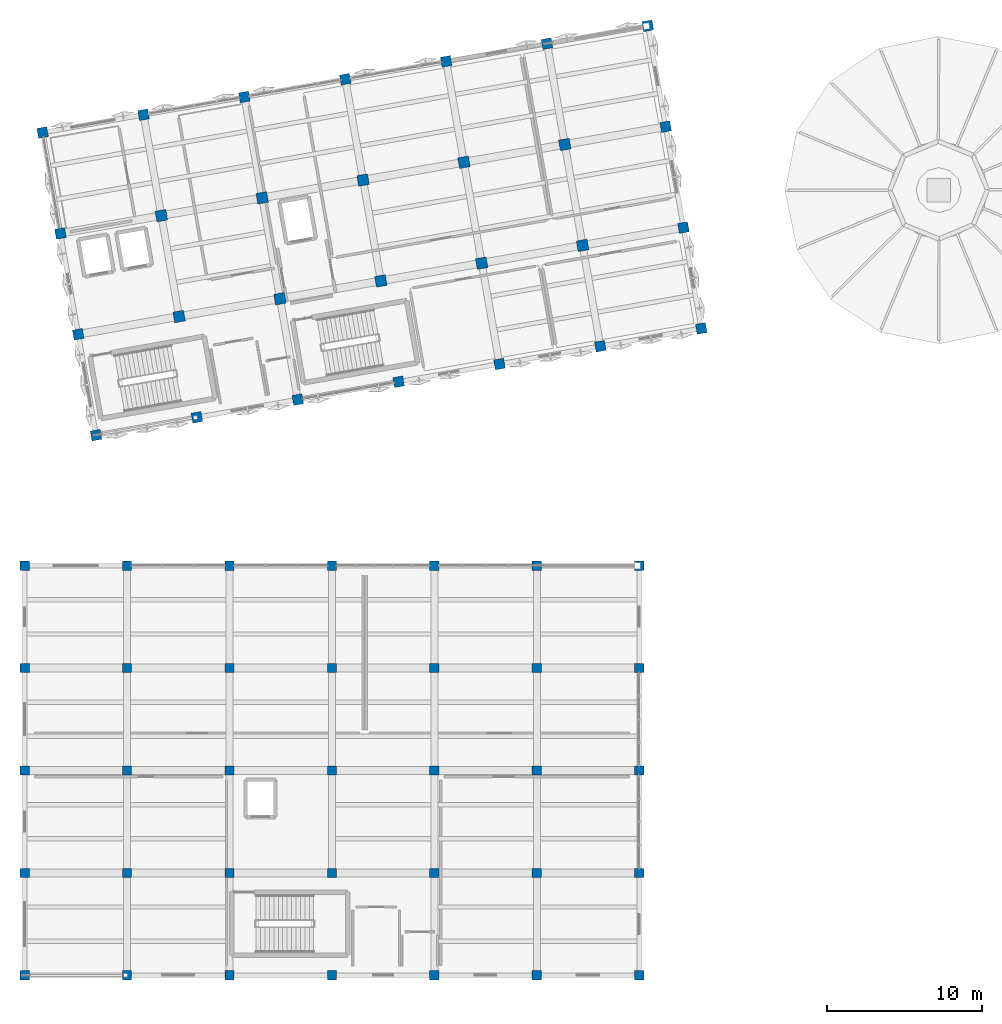
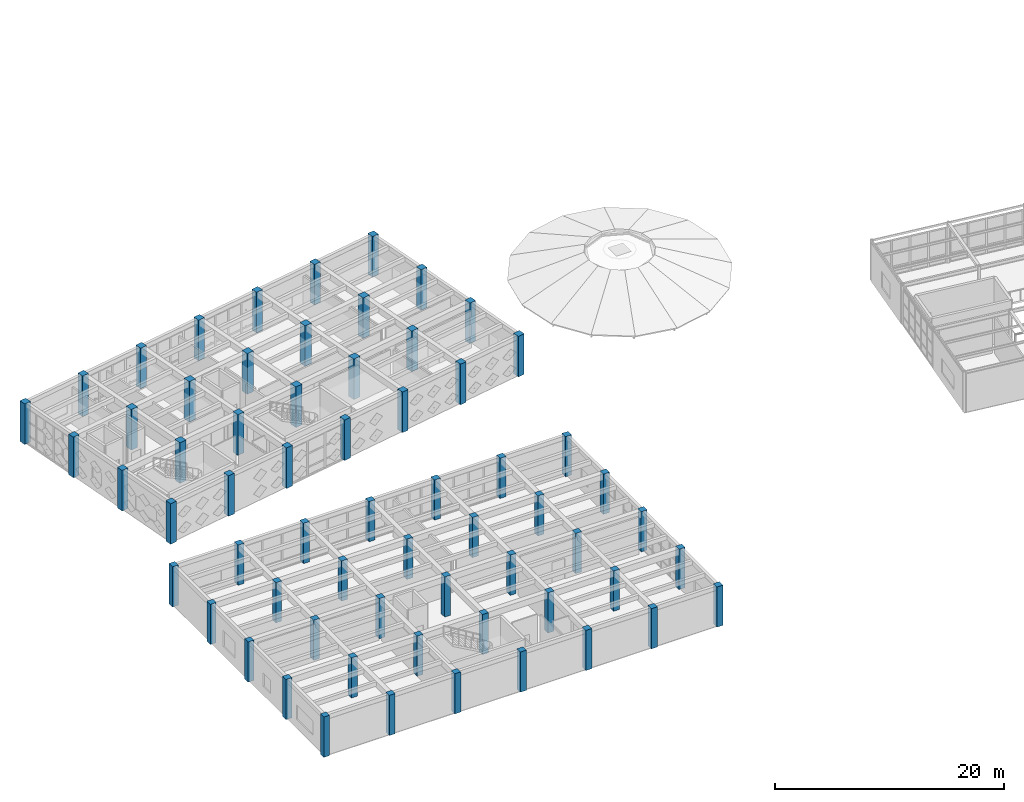
# One storey, part 1 of 67: 63 columns.
"""IFC4 building model written with IfcOpenShell, lengths in metres."""

from ifc_helpers import new_model, si_unit, direction, frame, origin, origin_2d, place, context, subcontext, project, spatial, rectangle, extrude, material, material_profile, profile_set, type_object, element, save


model = new_model("IFC4")

# Units and contexts
model_context = context("Model", 3, precision=1e-05, world=origin(), true_north=direction((0.0, 1.0)))
body_context = subcontext(model_context, "Body", "Model", "MODEL_VIEW")
ifc_project = project(units=[si_unit("LENGTHUNIT", "METRE"), si_unit("AREAUNIT", "SQUARE_METRE"), si_unit("VOLUMEUNIT", "CUBIC_METRE"), si_unit("PLANEANGLEUNIT", "RADIAN"), si_unit("MASSUNIT", "GRAM", prefix="KILO")], contexts=[model_context])

# Site, building, storey
site_placement = place(None, origin())
site = spatial("IfcSite", under=ifc_project, at=site_placement, CompositionType="ELEMENT")
building_placement = place(site_placement, origin())
building = spatial("IfcBuilding", under=site, at=building_placement, Name="Kharisveld Research Institute", CompositionType="ELEMENT")
storey_placement = place(building_placement, frame((0.0, 0.0, 9.60009765625)))
storey = spatial("IfcBuildingStorey", under=building, at=storey_placement, Name="L02", CompositionType="ELEMENT", Elevation=9.60009765625)

# Columns
ifc_material_1 = material(Name="Concrete C40/50", Category="concrete")
ifc_material_profile_1 = material_profile(ifc_material_1, rectangle(XDim=0.60009765625, YDim=0.60009765625, at=origin_2d()))
ifc_profile_set_1 = profile_set([ifc_material_profile_1], Name="Concrete C40/50")
column_type_1 = type_object("IfcColumnType", Name="COL_RC_600", PredefinedType="COLUMN", material=ifc_profile_set_1)
for number, where, z_axis, x_axis, name in (
    (1, (0.60009765625, 0.199951171875, 0.0), (0.0, 0.0, 1.0), (1.0, 0.0, 0.0), "COL:V3:L02:U0V0"),
    (2, (0.60009765625, 6.800048828125, 0.0), (0.0, 0.0, 1.0), (1.0, 0.0, 0.0), "COL:V3:L02:U0V1"),
    (3, (0.60009765625, 13.39990234375, 0.0), (0.0, 0.0, 1.0), (1.0, 0.0, 0.0), "COL:V3:L02:U0V2"),
    (4, (0.60009765625, 20.0, 0.0), (0.0, 0.0, 1.0), (1.0, 0.0, 0.0), "COL:V3:L02:U0V3"),
    (5, (0.60009765625, 26.60009765625, 0.0), (0.0, 0.0, 1.0), (1.0, 0.0, 0.0), "COL:V3:L02:U0V4"),
    (6, (7.199951171875, 0.199951171875, 0.0), (0.0, 0.0, 1.0), (1.0, 0.0, 0.0), "COL:V3:L02:U1V0"),
    (7, (7.199951171875, 6.800048828125, 0.0), (0.0, 0.0, 1.0), (1.0, 0.0, 0.0), "COL:V3:L02:U1V1"),
    (8, (7.199951171875, 13.39990234375, 0.0), (0.0, 0.0, 1.0), (1.0, 0.0, 0.0), "COL:V3:L02:U1V2"),
    (9, (7.199951171875, 20.0, 0.0), (0.0, 0.0, 1.0), (1.0, 0.0, 0.0), "COL:V3:L02:U1V3"),
    (10, (7.199951171875, 26.60009765625, 0.0), (0.0, 0.0, 1.0), (1.0, 0.0, 0.0), "COL:V3:L02:U1V4"),
    (11, (13.800048828125, 0.199951171875, 0.0), (0.0, 0.0, 1.0), (1.0, 0.0, 0.0), "COL:V3:L02:U2V0"),
    (12, (13.800048828125, 6.800048828125, 0.0), (0.0, 0.0, 1.0), (1.0, 0.0, 0.0), "COL:V3:L02:U2V1"),
    (13, (13.800048828125, 13.39990234375, 0.0), (0.0, 0.0, 1.0), (1.0, 0.0, 0.0), "COL:V3:L02:U2V2"),
    (14, (13.800048828125, 20.0, 0.0), (0.0, 0.0, 1.0), (1.0, 0.0, 0.0), "COL:V3:L02:U2V3"),
    (15, (13.800048828125, 26.60009765625, 0.0), (0.0, 0.0, 1.0), (1.0, 0.0, 0.0), "COL:V3:L02:U2V4"),
    (16, (20.39990234375, 0.199951171875, 0.0), (0.0, 0.0, 1.0), (1.0, 0.0, 0.0), "COL:V3:L02:U3V0"),
    (17, (20.39990234375, 6.800048828125, 0.0), (0.0, 0.0, 1.0), (1.0, 0.0, 0.0), "COL:V3:L02:U3V1"),
    (18, (20.39990234375, 13.39990234375, 0.0), (0.0, 0.0, 1.0), (1.0, 0.0, 0.0), "COL:V3:L02:U3V2"),
    (19, (20.39990234375, 20.0, 0.0), (0.0, 0.0, 1.0), (1.0, 0.0, 0.0), "COL:V3:L02:U3V3"),
    (20, (20.39990234375, 26.60009765625, 0.0), (0.0, 0.0, 1.0), (1.0, 0.0, 0.0), "COL:V3:L02:U3V4"),
    (21, (27.0, 0.199951171875, 0.0), (0.0, 0.0, 1.0), (1.0, 0.0, 0.0), "COL:V3:L02:U4V0"),
    (22, (27.0, 6.800048828125, 0.0), (0.0, 0.0, 1.0), (1.0, 0.0, 0.0), "COL:V3:L02:U4V1"),
    (23, (27.0, 13.39990234375, 0.0), (0.0, 0.0, 1.0), (1.0, 0.0, 0.0), "COL:V3:L02:U4V2"),
    (24, (27.0, 20.0, 0.0), (0.0, 0.0, 1.0), (1.0, 0.0, 0.0), "COL:V3:L02:U4V3"),
    (25, (27.0, 26.60009765625, 0.0), (0.0, 0.0, 1.0), (1.0, 0.0, 0.0), "COL:V3:L02:U4V4"),
    (26, (33.60009765625, 0.199951171875, 0.0), (0.0, 0.0, 1.0), (1.0, 0.0, 0.0), "COL:V3:L02:U5V0"),
    (27, (33.60009765625, 6.800048828125, 0.0), (0.0, 0.0, 1.0), (1.0, 0.0, 0.0), "COL:V3:L02:U5V1"),
    (28, (33.60009765625, 13.39990234375, 0.0), (0.0, 0.0, 1.0), (1.0, 0.0, 0.0), "COL:V3:L02:U5V2"),
    (29, (33.60009765625, 20.0, 0.0), (0.0, 0.0, 1.0), (1.0, 0.0, 0.0), "COL:V3:L02:U5V3"),
    (30, (33.60009765625, 26.60009765625, 0.0), (0.0, 0.0, 1.0), (1.0, 0.0, 0.0), "COL:V3:L02:U5V4"),
    (31, (40.199951171875, 0.199951171875, 0.0), (0.0, 0.0, 1.0), (1.0, 0.0, 0.0), "COL:V3:L02:U6V0"),
    (32, (40.199951171875, 6.800048828125, 0.0), (0.0, 0.0, 1.0), (1.0, 0.0, 0.0), "COL:V3:L02:U6V1"),
    (33, (40.199951171875, 13.39990234375, 0.0), (0.0, 0.0, 1.0), (1.0, 0.0, 0.0), "COL:V3:L02:U6V2"),
    (34, (40.199951171875, 20.0, 0.0), (0.0, 0.0, 1.0), (1.0, 0.0, 0.0), "COL:V3:L02:U6V3"),
    (35, (40.199951171875, 26.60009765625, 0.0), (0.0, 0.0, 1.0), (1.0, 0.0, 0.0), "COL:V3:L02:U6V4"),
):
    element("IfcColumn", number, at=place(storey_placement, frame(where, z_axis=z_axis, x_axis=x_axis)), inside=storey, type_object=column_type_1, Name=name, PredefinedType="COLUMN", context=body_context, shape_type="SweptSolid", body=[
        extrude(rectangle(XDim=0.60009765625, YDim=0.60009765625, at=origin_2d()), origin(), (0.0, 0.0, 1.0), 4.27978515625),
    ])
ifc_material_2 = material(Name="Concrete C40/50", Category="concrete")
ifc_material_profile_2 = material_profile(ifc_material_2, rectangle(XDim=0.64990234375, YDim=0.64990234375, at=origin_2d()))
ifc_profile_set_2 = profile_set([ifc_material_profile_2], Name="Concrete C40/50")
column_type_2 = type_object("IfcColumnType", Name="COL_RC_650", PredefinedType="COLUMN", material=ifc_profile_set_2)
for number, where, z_axis, x_axis, name in (
    (36, (5.199951171875, 35.010009765625, 0.0), (0.0, 0.0, 1.0), (0.984807753012, 0.173648177667, 0.0), "COL:V1:L02:U0V0"),
    (37, (4.053955078125, 41.509765625, 0.0), (0.0, 0.0, 1.0), (0.984807753012, 0.173648177667, 0.0), "COL:V1:L02:U0V1"),
    (38, (2.907958984375, 48.009521484375, 0.0), (0.0, 0.0, 1.0), (0.984807753012, 0.173648177667, 0.0), "COL:V1:L02:U0V2"),
    (39, (1.76171875, 54.50927734375, 0.0), (0.0, 0.0, 1.0), (0.984807753012, 0.173648177667, 0.0), "COL:V1:L02:U0V3"),
    (40, (11.69970703125, 36.156005859375, 0.0), (0.0, 0.0, 1.0), (0.984807753012, 0.173648177667, 0.0), "COL:V1:L02:U1V0"),
    (41, (8.261474609375, 55.6552734375, 0.0), (0.0, 0.0, 1.0), (0.984807753012, 0.173648177667, 0.0), "COL:V1:L02:U1V3"),
    (42, (18.199462890625, 37.30224609375, 0.0), (0.0, 0.0, 1.0), (0.984807753012, 0.173648177667, 0.0), "COL:V1:L02:U2V0"),
    (43, (14.76123046875, 56.80126953125, 0.0), (0.0, 0.0, 1.0), (0.984807753012, 0.173648177667, 0.0), "COL:V1:L02:U2V3"),
    (44, (24.69921875, 38.4482421875, 0.0), (0.0, 0.0, 1.0), (0.984807753012, 0.173648177667, 0.0), "COL:V1:L02:U3V0"),
    (45, (21.260986328125, 57.947509765625, 0.0), (0.0, 0.0, 1.0), (0.984807753012, 0.173648177667, 0.0), "COL:V1:L02:U3V3"),
    (46, (31.198974609375, 39.59423828125, 0.0), (0.0, 0.0, 1.0), (0.984807753012, 0.173648177667, 0.0), "COL:V1:L02:U4V0"),
    (47, (27.7607421875, 59.093505859375, 0.0), (0.0, 0.0, 1.0), (0.984807753012, 0.173648177667, 0.0), "COL:V1:L02:U4V3"),
    (48, (37.69873046875, 40.740478515625, 0.0), (0.0, 0.0, 1.0), (0.984807753012, 0.173648177667, 0.0), "COL:V1:L02:U5V0"),
    (49, (34.260498046875, 60.239501953125, 0.0), (0.0, 0.0, 1.0), (0.984807753012, 0.173648177667, 0.0), "COL:V1:L02:U5V3"),
    (50, (44.198486328125, 41.886474609375, 0.0), (0.0, 0.0, 1.0), (0.984807753012, 0.173648177667, 0.0), "COL:V1:L02:U6V0"),
    (51, (43.05224609375, 48.38623046875, 0.0), (0.0, 0.0, 1.0), (0.984807753012, 0.173648177667, 0.0), "COL:V1:L02:U6V1"),
    (52, (41.90625, 54.885986328125, 0.0), (0.0, 0.0, 1.0), (0.984807753012, 0.173648177667, 0.0), "COL:V1:L02:U6V2"),
    (53, (40.76025390625, 61.3857421875, 0.0), (0.0, 0.0, 1.0), (0.984807753012, 0.173648177667, 0.0), "COL:V1:L02:U6V3"),
):
    element("IfcColumn", number, at=place(storey_placement, frame(where, z_axis=z_axis, x_axis=x_axis)), inside=storey, type_object=column_type_2, Name=name, PredefinedType="COLUMN", context=body_context, shape_type="SweptSolid", body=[
        extrude(rectangle(XDim=0.64990234375, YDim=0.64990234375, at=origin_2d()), origin(), (0.0, 0.0, 1.0), 4.31982421875),
    ])
ifc_material_3 = material(Name="Concrete C40/50", Category="concrete")
ifc_material_profile_3 = material_profile(ifc_material_3, rectangle(XDim=0.699951171875, YDim=0.699951171875, at=origin_2d()))
ifc_profile_set_3 = profile_set([ifc_material_profile_3], Name="Concrete C40/50")
column_type_3 = type_object("IfcColumnType", Name="COL_RC_700", PredefinedType="COLUMN", material=ifc_profile_set_3)
for number, where, z_axis, x_axis, name in (
    (54, (10.5537109375, 42.65576171875, 0.0), (0.0, 0.0, 1.0), (0.984807753012, 0.173648177667, 0.0), "COL:V1:L02:U1V1"),
    (55, (9.407470703125, 49.155517578125, 0.0), (0.0, 0.0, 1.0), (0.984807753012, 0.173648177667, 0.0), "COL:V1:L02:U1V2"),
    (56, (17.053466796875, 43.802001953125, 0.0), (0.0, 0.0, 1.0), (0.984807753012, 0.173648177667, 0.0), "COL:V1:L02:U2V1"),
    (57, (15.9072265625, 50.301513671875, 0.0), (0.0, 0.0, 1.0), (0.984807753012, 0.173648177667, 0.0), "COL:V1:L02:U2V2"),
    (58, (23.55322265625, 44.947998046875, 0.0), (0.0, 0.0, 1.0), (0.984807753012, 0.173648177667, 0.0), "COL:V1:L02:U3V1"),
    (59, (22.406982421875, 51.44775390625, 0.0), (0.0, 0.0, 1.0), (0.984807753012, 0.173648177667, 0.0), "COL:V1:L02:U3V2"),
    (60, (30.052734375, 46.093994140625, 0.0), (0.0, 0.0, 1.0), (0.984807753012, 0.173648177667, 0.0), "COL:V1:L02:U4V1"),
    (61, (28.90673828125, 52.59375, 0.0), (0.0, 0.0, 1.0), (0.984807753012, 0.173648177667, 0.0), "COL:V1:L02:U4V2"),
    (62, (36.552490234375, 47.240234375, 0.0), (0.0, 0.0, 1.0), (0.984807753012, 0.173648177667, 0.0), "COL:V1:L02:U5V1"),
    (63, (35.406494140625, 53.73974609375, 0.0), (0.0, 0.0, 1.0), (0.984807753012, 0.173648177667, 0.0), "COL:V1:L02:U5V2"),
):
    element("IfcColumn", number, at=place(storey_placement, frame(where, z_axis=z_axis, x_axis=x_axis)), inside=storey, type_object=column_type_3, Name=name, PredefinedType="COLUMN", context=body_context, shape_type="SweptSolid", body=[
        extrude(rectangle(XDim=0.699951171875, YDim=0.699951171875, at=origin_2d()), origin(), (0.0, 0.0, 1.0), 4.31982421875),
    ])

save(model, "model.ifc")
